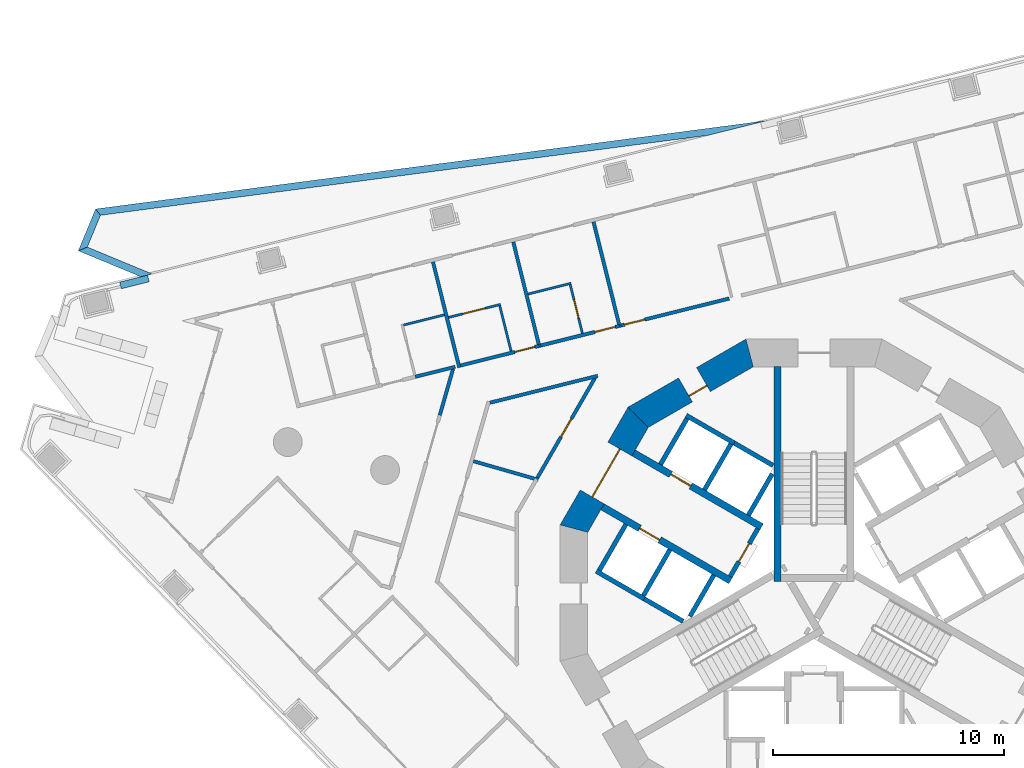
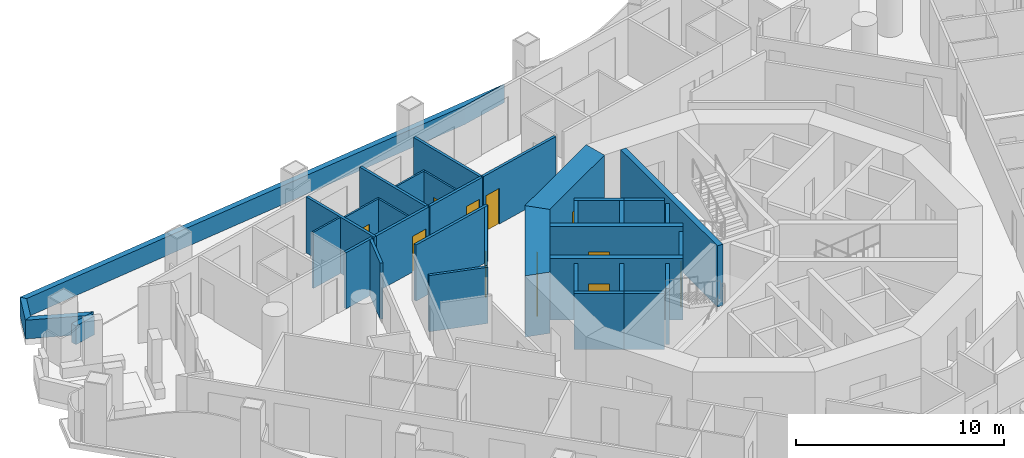
# One storey, part 7 of 19: 36 walls, 11 doors, 11 openings.
"""IFC4 building model written with IfcOpenShell, lengths in metres."""

from ifc_helpers import new_model, si_unit, direction, frame, frame_2d, origin, place, context, subcontext, project, spatial, polyline, rectangle, outline, extrude, material, layer, layer_set, type_object, element, fill, save


model = new_model("IFC4")

# Units and contexts
model_context = context("Model", 3, precision=1e-05, world=origin(), true_north=direction((0.0, 1.0)))
body_context = subcontext(model_context, "Body", "Model", "MODEL_VIEW")
ifc_project = project(units=[si_unit("LENGTHUNIT", "METRE"), si_unit("AREAUNIT", "SQUARE_METRE"), si_unit("VOLUMEUNIT", "CUBIC_METRE"), si_unit("PLANEANGLEUNIT", "RADIAN"), si_unit("MASSUNIT", "GRAM", prefix="KILO")], contexts=[model_context])

# Site, building, storey
site_placement = place(None, origin())
site = spatial("IfcSite", under=ifc_project, at=site_placement, CompositionType="ELEMENT")
building_placement = place(site_placement, origin())
building = spatial("IfcBuilding", under=site, at=building_placement, Name="Trine Commons Tower", CompositionType="ELEMENT")
storey_placement = place(building_placement, frame((0.0, 0.0, 87.300048828125)))
storey = spatial("IfcBuildingStorey", under=building, at=storey_placement, Name="L21", CompositionType="ELEMENT", Elevation=87.300048828125)

# Wall, opening, door
ifc_material_1 = material(Name="Fire-rated gypsum shaft wall system")
ifc_layer_1 = layer(ifc_material_1, 0.199951171875)
ifc_layer_set_1 = layer_set([ifc_layer_1], Name="Fire-rated gypsum shaft wall system")
wall_type_1 = type_object("IfcWallType", Name="Lobby end wall 200 mm, EI 120", PredefinedType="PARTITIONING", material=ifc_layer_set_1)
wall_1_placement = place(storey_placement, frame((77.569091796875, 65.2890625, 0.0), z_axis=(0.0, 0.0, 1.0), x_axis=(-0.50012165622, -0.865955154139, 0.0)))
wall_1 = element("IfcWall", 1, at=wall_1_placement, inside=storey, type_object=wall_type_1, Name="Lobby end wall L21", PredefinedType="PARTITIONING", context=body_context, shape_type="SweptSolid", body=[
    extrude(rectangle(XDim=2.39990234375, YDim=0.199951171875, at=frame_2d((1.199951171875, 0.0))), origin(), (0.0, 0.0, 1.0), 3.300048828125),
])
opening_1_placement = place(wall_1_placement, frame((0.749755859375, 0.0, 0.0)))
opening_1 = element("IfcOpeningElement", 2, at=opening_1_placement, cuts=wall_1, Name="Opening K04.07", PredefinedType="OPENING", context=body_context, shape_type="SweptSolid", body=[
    extrude(rectangle(XDim=0.89990234375, YDim=2.10009765625, at=frame_2d((0.449951171875, 1.050048828125))), frame((0.0, 0.10986328125, 0.0), z_axis=(0.0, -1.0, 0.0), x_axis=(1.0, 0.0, 0.0)), (0.0, 0.0, 1.0), 0.219970703125),
])
ifc_material_2 = material(Name="Steel door leaf, fire-rated", Category="steel")
door_type_1 = type_object("IfcDoorType", Name="Riser access door, single leaf 900 x 2100, FD60", OperationType="SINGLE_SWING_LEFT", PredefinedType="DOOR", material=ifc_material_2)
door_1_placement = place(opening_1_placement, frame((0.89990234375, 0.0, 0.0), z_axis=(0.0, 0.0, 1.0), x_axis=(-1.0, 0.0, 0.0)))
door_1 = element("IfcDoor", 3, at=door_1_placement, inside=storey, type_object=door_type_1, Name="Riser door, Mechanical riser L21", OperationType="SINGLE_SWING_RIGHT", OverallHeight=2.10009765625, OverallWidth=0.89990234375, PredefinedType="DOOR", context=body_context, shape_type="SweptSolid", body=[
    extrude(rectangle(XDim=0.89990234375, YDim=2.10009765625, at=frame_2d((0.449951171875, 1.050048828125))), frame((0.0, 0.02490234375, 0.0), z_axis=(0.0, -1.0, 0.0), x_axis=(1.0, 0.0, 0.0)), (0.0, 0.0, 1.0), 0.050048828125),
])
fill(opening_1, door_1)

ifc_material_3 = material(Name="Concrete C70/85", Category="concrete")
ifc_layer_2 = layer(ifc_material_3, 1.199951171875)
ifc_layer_set_2 = layer_set([ifc_layer_2], Name="Concrete C70/85")
wall_type_2 = type_object("IfcWallType", Name="RC shear wall 1200 mm, C70/85", PredefinedType="SHEAR", material=ifc_layer_set_2)
wall_2_placement = place(storey_placement, frame((77.349609375, 72.991943359375, 0.0), z_axis=(0.0, 0.0, 1.0), x_axis=(-0.866037463336, -0.499979111662, 0.0)))
wall_2 = element("IfcWall", 4, at=wall_2_placement, inside=storey, type_object=wall_type_2, Name="Core wall CWC-05 L21", PredefinedType="SHEAR", context=body_context, shape_type="SweptSolid", body=[
    extrude(outline(polyline([(0.0, -0.60009765625), (5.901123046875, -0.60009765625), (5.57958984375, 0.60009765625), (0.321533203125, 0.60009765625), (0.0, -0.60009765625)])), origin(), (0.0, 0.0, 1.0), 3.599853515625),
])
opening_2_placement = place(wall_2_placement, frame((2.474853515625, 0.0, 0.0)))
opening_2 = element("IfcOpeningElement", 5, at=opening_2_placement, cuts=wall_2, Name="Opening K04.13", PredefinedType="OPENING", context=body_context, shape_type="SweptSolid", body=[
    extrude(rectangle(XDim=0.89990234375, YDim=2.10009765625, at=frame_2d((0.449951171875, 1.050048828125))), frame((0.0, 0.60986328125, 0.0), z_axis=(0.0, -1.0, 0.0), x_axis=(1.0, 0.0, 0.0)), (0.0, 0.0, 1.0), 1.219970703125),
])
door_type_2 = type_object("IfcDoorType", Name="Core room door, single leaf 900 x 2100, FD30S", OperationType="SINGLE_SWING_LEFT", PredefinedType="DOOR", material=ifc_material_2)
door_2_placement = place(opening_2_placement, origin())
door_2 = element("IfcDoor", 6, at=door_2_placement, inside=storey, type_object=door_type_2, Name="Door to Comms room L21", OperationType="SINGLE_SWING_LEFT", OverallHeight=2.10009765625, OverallWidth=0.89990234375, PredefinedType="DOOR", context=body_context, shape_type="SweptSolid", body=[
    extrude(rectangle(XDim=0.89990234375, YDim=2.10009765625, at=frame_2d((0.449951171875, 1.050048828125))), frame((0.0, 0.3251953125, 0.0), z_axis=(0.0, -1.0, 0.0), x_axis=(1.0, 0.0, 0.0)), (0.0, 0.0, 1.0), 0.050048828125),
])
fill(opening_2, door_2)

wall_3_placement = place(storey_placement, frame((72.45849609375, 70.260986328125, 0.0), z_axis=(0.0, 0.0, 1.0), x_axis=(-0.499979111662, -0.866037463336, 0.0)))
wall_3 = element("IfcWall", 7, at=wall_3_placement, inside=storey, type_object=wall_type_2, Name="Core wall CWC-06 L21", PredefinedType="SHEAR", context=body_context, shape_type="SweptSolid", body=[
    extrude(outline(polyline([(0.0, -0.60009765625), (5.901123046875, -0.60009765625), (5.57958984375, 0.60009765625), (0.321533203125, 0.60009765625), (0.0, -0.60009765625)])), origin(), (0.0, 0.0, 1.0), 3.599853515625),
])
opening_3_placement = place(wall_3_placement, frame((1.75048828125, 0.0, 0.0)))
opening_3 = element("IfcOpeningElement", 8, at=opening_3_placement, cuts=wall_3, Name="Opening K04.06", PredefinedType="OPENING", context=body_context, shape_type="SweptSolid", body=[
    extrude(rectangle(XDim=2.39990234375, YDim=2.10009765625, at=frame_2d((1.199951171875, 1.050048828125))), frame((0.0, 0.60986328125, 0.0), z_axis=(0.0, -1.0, 0.0), x_axis=(1.0, 0.0, 0.0)), (0.0, 0.0, 1.0), 1.219970703125),
])
ifc_material_4 = material(Name="Steel door leaves, fire-rated", Category="steel")
door_type_3 = type_object("IfcDoorType", Name="Lobby door, double leaf 2400 x 2100, FD60", OperationType="DOUBLE_DOOR_SINGLE_SWING", PredefinedType="DOOR", material=ifc_material_4)
door_3_placement = place(opening_3_placement, origin())
door_3 = element("IfcDoor", 9, at=door_3_placement, inside=storey, type_object=door_type_3, Name="Lobby door, Passenger lift lobby B L21", OperationType="DOUBLE_DOOR_SINGLE_SWING", OverallHeight=2.10009765625, OverallWidth=2.39990234375, PredefinedType="DOOR", context=body_context, shape_type="SweptSolid", body=[
    extrude(rectangle(XDim=2.39990234375, YDim=2.10009765625, at=frame_2d((1.199951171875, 1.050048828125))), frame((0.0, 0.02490234375, 0.0), z_axis=(0.0, -1.0, 0.0), x_axis=(1.0, 0.0, 0.0)), (0.0, 0.0, 1.0), 0.050048828125),
])
fill(opening_3, door_3)

ifc_layer_3 = layer(ifc_material_3, 0.300048828125)
ifc_layer_set_3 = layer_set([ifc_layer_3], Name="Concrete C70/85")
wall_type_3 = type_object("IfcWallType", Name="RC shear wall 300 mm, C70/85", PredefinedType="SHEAR", material=ifc_layer_set_3)
wall_4_placement = place(storey_placement, frame((76.381103515625, 63.031005859375, 0.0), z_axis=(0.0, 0.0, 1.0), x_axis=(-0.866032150378, 0.499988314375, 0.0)))
wall_4 = element("IfcWall", 10, at=wall_4_placement, inside=storey, type_object=wall_type_3, Name="Core cross wall SWA-01 L21", PredefinedType="SHEAR", context=body_context, shape_type="SweptSolid", body=[
    extrude(rectangle(XDim=6.412353515625, YDim=0.300048828125, at=frame_2d((3.2060546875, 0.0))), origin(), (0.0, 0.0, 1.0), 3.599853515625),
])
opening_4_placement = place(wall_4_placement, frame((3.55029296875, 0.0, 0.0)))
opening_4 = element("IfcOpeningElement", 11, at=opening_4_placement, cuts=wall_4, Name="Opening LD3", PredefinedType="OPENING", context=body_context, shape_type="SweptSolid", body=[
    extrude(rectangle(XDim=1.0, YDim=2.10009765625, at=frame_2d((0.5, 1.050048828125))), frame((0.0, 0.159912109375, 0.0), z_axis=(0.0, -1.0, 0.0), x_axis=(1.0, 0.0, 0.0)), (0.0, 0.0, 1.0), 0.320068359375),
])
ifc_material_5 = material(Name="Stainless steel sliding door leaves", Category="steel")
door_type_4 = type_object("IfcDoorType", Name="Lift landing door, centre-opening sliding 1000 x 2100, FD90", OperationType="DOUBLE_DOOR_SLIDING", PredefinedType="DOOR", material=ifc_material_5)
door_4_placement = place(opening_4_placement, origin())
door_4 = element("IfcDoor", 12, at=door_4_placement, inside=storey, type_object=door_type_4, Name="Lift landing door LR3 L21", OperationType="DOUBLE_DOOR_SLIDING", OverallHeight=2.10009765625, OverallWidth=1.0, PredefinedType="DOOR", context=body_context, shape_type="SweptSolid", body=[
    extrude(rectangle(XDim=1.0, YDim=2.10009765625, at=frame_2d((0.5, 1.050048828125))), frame((0.0, 0.02490234375, 0.0), z_axis=(0.0, -1.0, 0.0), x_axis=(1.0, 0.0, 0.0)), (0.0, 0.0, 1.0), 0.050048828125),
])
fill(opening_4, door_4)

wall_5_placement = place(storey_placement, frame((77.73095703125, 65.368896484375, 0.0), z_axis=(0.0, 0.0, 1.0), x_axis=(-0.866022631842, 0.500004801114, 0.0)))
wall_5 = element("IfcWall", 13, at=wall_5_placement, inside=storey, type_object=wall_type_3, Name="Core cross wall SWA-02 L21", PredefinedType="SHEAR", context=body_context, shape_type="SweptSolid", body=[
    extrude(rectangle(XDim=6.412109375, YDim=0.300048828125, at=frame_2d((3.2060546875, 0.0))), origin(), (0.0, 0.0, 1.0), 3.599853515625),
])
opening_5_placement = place(wall_5_placement, frame((3.55029296875, 0.0, 0.0)))
opening_5 = element("IfcOpeningElement", 14, at=opening_5_placement, cuts=wall_5, Name="Opening LD4", PredefinedType="OPENING", context=body_context, shape_type="SweptSolid", body=[
    extrude(rectangle(XDim=1.0, YDim=2.10009765625, at=frame_2d((0.5, 1.050048828125))), frame((0.0, 0.159912109375, 0.0), z_axis=(0.0, -1.0, 0.0), x_axis=(1.0, 0.0, 0.0)), (0.0, 0.0, 1.0), 0.320068359375),
])
door_5_placement = place(opening_5_placement, origin())
door_5 = element("IfcDoor", 15, at=door_5_placement, inside=storey, type_object=door_type_4, Name="Lift landing door LR4 L21", OperationType="DOUBLE_DOOR_SLIDING", OverallHeight=2.10009765625, OverallWidth=1.0, PredefinedType="DOOR", context=body_context, shape_type="SweptSolid", body=[
    extrude(rectangle(XDim=1.0, YDim=2.10009765625, at=frame_2d((0.5, 1.050048828125))), frame((0.0, 0.02490234375, 0.0), z_axis=(0.0, -1.0, 0.0), x_axis=(1.0, 0.0, 0.0)), (0.0, 0.0, 1.0), 0.050048828125),
])
fill(opening_5, door_5)

# Walls
wall_6_placement = place(storey_placement, frame((78.425048828125, 63.0009765625, 0.0), z_axis=(0.0, 0.0, 1.0), x_axis=(0.0, 1.0, 0.0)))
element("IfcWall", 16, at=wall_6_placement, inside=storey, type_object=wall_type_3, Name="Core cross wall SWA-08 L21", PredefinedType="SHEAR", context=body_context, shape_type="SweptSolid", body=[
    extrude(rectangle(XDim=9.31103515625, YDim=0.300048828125, at=frame_2d((4.655517578125, 0.0))), origin(), (0.0, 0.0, 1.0), 3.599853515625),
])
ifc_layer_4 = layer(ifc_material_1, 0.199951171875)
ifc_layer_set_4 = layer_set([ifc_layer_4], Name="Fire-rated gypsum shaft wall system")
wall_type_4 = type_object("IfcWallType", Name="Shaft wall 200 mm, EI 120", PredefinedType="PARTITIONING", material=ifc_layer_set_4)
wall_7_placement = place(storey_placement, frame((71.844970703125, 65.47607421875, 0.0), z_axis=(0.0, 0.0, 1.0), x_axis=(-0.500136062276, -0.86594683394, 0.0)))
element("IfcWall", 17, at=wall_7_placement, inside=storey, type_object=wall_type_4, Name="Shaft wall L21", PredefinedType="PARTITIONING", context=body_context, shape_type="SweptSolid", body=[
    extrude(rectangle(XDim=2.299072265625, YDim=0.199951171875, at=frame_2d((1.1494140625, 0.0))), origin(), (0.0, 0.0, 1.0), 3.300048828125),
])
wall_8_placement = place(storey_placement, frame((72.637939453125, 62.248046875, 0.0), z_axis=(0.0, 0.0, 1.0), x_axis=(-0.866177122335, 0.499737123639, 0.0)))
element("IfcWall", 18, at=wall_8_placement, inside=storey, type_object=wall_type_4, Name="Shaft wall L21", PredefinedType="PARTITIONING", context=body_context, shape_type="SweptSolid", body=[
    extrude(rectangle(XDim=2.401123046875, YDim=0.199951171875, at=frame_2d((1.20068359375, 0.0))), origin(), (0.0, 0.0, 1.0), 3.300048828125),
])
wall_9_placement = place(storey_placement, frame((73.344970703125, 68.073974609375, 0.0), z_axis=(0.0, 0.0, 1.0), x_axis=(0.500215680983, 0.865900844496, 0.0)))
element("IfcWall", 19, at=wall_9_placement, inside=storey, type_object=wall_type_4, Name="Shaft wall L21", PredefinedType="PARTITIONING", context=body_context, shape_type="SweptSolid", body=[
    extrude(rectangle(XDim=2.29931640625, YDim=0.199951171875, at=frame_2d((1.149658203125, 0.0))), origin(), (0.0, 0.0, 1.0), 3.300048828125),
])
wall_10_placement = place(storey_placement, frame((73.7509765625, 64.3759765625, 0.0), z_axis=(0.0, 0.0, 1.0), x_axis=(-0.500136062276, -0.86594683394, 0.0)))
element("IfcWall", 20, at=wall_10_placement, inside=storey, type_object=wall_type_4, Name="Shaft wall L21", PredefinedType="PARTITIONING", context=body_context, shape_type="SweptSolid", body=[
    extrude(rectangle(XDim=2.299072265625, YDim=0.199951171875, at=frame_2d((1.1494140625, 0.0))), origin(), (0.0, 0.0, 1.0), 3.300048828125),
])
wall_11_placement = place(storey_placement, frame((74.324951171875, 61.27294921875, 0.0), z_axis=(0.0, 0.0, 1.0), x_axis=(-0.865780634835, 0.500423712812, 0.0)))
element("IfcWall", 21, at=wall_11_placement, inside=storey, type_object=wall_type_4, Name="Shaft wall L21", PredefinedType="PARTITIONING", context=body_context, shape_type="SweptSolid", body=[
    extrude(rectangle(XDim=1.948486328125, YDim=0.199951171875, at=frame_2d((0.97412109375, 0.0))), origin(), (0.0, 0.0, 1.0), 3.300048828125),
])
wall_12_placement = place(storey_placement, frame((75.2509765625, 66.97412109375, 0.0), z_axis=(0.0, 0.0, 1.0), x_axis=(0.500136062276, 0.86594683394, 0.0)))
element("IfcWall", 22, at=wall_12_placement, inside=storey, type_object=wall_type_4, Name="Shaft wall L21", PredefinedType="PARTITIONING", context=body_context, shape_type="SweptSolid", body=[
    extrude(rectangle(XDim=2.299072265625, YDim=0.199951171875, at=frame_2d((1.1494140625, 0.0))), origin(), (0.0, 0.0, 1.0), 3.300048828125),
])
wall_13_placement = place(storey_placement, frame((75.656005859375, 63.27587890625, 0.0), z_axis=(0.0, 0.0, 1.0), x_axis=(-0.500271688072, -0.86586848777, 0.0)))
element("IfcWall", 23, at=wall_13_placement, inside=storey, type_object=wall_type_4, Name="Shaft wall L21", PredefinedType="PARTITIONING", context=body_context, shape_type="SweptSolid", body=[
    extrude(rectangle(XDim=2.064697265625, YDim=0.199951171875, at=frame_2d((1.0322265625, 0.0))), origin(), (0.0, 0.0, 1.0), 3.300048828125),
])
wall_14_placement = place(storey_placement, frame((76.5380859375, 69.001953125, 0.0), z_axis=(0.0, 0.0, 1.0), x_axis=(-0.866202511239, 0.499693115345, 0.0)))
element("IfcWall", 24, at=wall_14_placement, inside=storey, type_object=wall_type_4, Name="Shaft wall L21", PredefinedType="PARTITIONING", context=body_context, shape_type="SweptSolid", body=[
    extrude(rectangle(XDim=2.4013671875, YDim=0.199951171875, at=frame_2d((1.20068359375, 0.0))), origin(), (0.0, 0.0, 1.0), 3.300048828125),
])
wall_15_placement = place(storey_placement, frame((77.156005859375, 65.8740234375, 0.0), z_axis=(0.0, 0.0, 1.0), x_axis=(0.499865770674, 0.866102887253, 0.0)))
element("IfcWall", 25, at=wall_15_placement, inside=storey, type_object=wall_type_4, Name="Shaft wall L21", PredefinedType="PARTITIONING", context=body_context, shape_type="SweptSolid", body=[
    extrude(rectangle(XDim=2.064453125, YDim=0.199951171875, at=frame_2d((1.0322265625, 0.0))), origin(), (0.0, 0.0, 1.0), 3.300048828125),
])
wall_16_placement = place(storey_placement, frame((78.22509765625, 68.028076171875, 0.0), z_axis=(0.0, 0.0, 1.0), x_axis=(-0.866052014814, 0.499953905513, 0.0)))
element("IfcWall", 26, at=wall_16_placement, inside=storey, type_object=wall_type_4, Name="Shaft wall L21", PredefinedType="PARTITIONING", context=body_context, shape_type="SweptSolid", body=[
    extrude(rectangle(XDim=1.947998046875, YDim=0.199951171875, at=frame_2d((0.97412109375, 0.0))), origin(), (0.0, 0.0, 1.0), 3.300048828125),
])
ifc_material_6 = material(Name="Limestone, honed", Category="masonry")
ifc_layer_5 = layer(ifc_material_6, 0.300048828125)
ifc_layer_set_5 = layer_set([ifc_layer_5], Name="Limestone, honed")
wall_type_5 = type_object("IfcWallType", Name="Stone parapet 300", PredefinedType="PARAPET", material=ifc_layer_set_5)
wall_17_placement = place(storey_placement, origin())
element("IfcWall", 27, at=wall_17_placement, inside=storey, type_object=wall_type_5, Name="Sliver roof parapet L20 2.1", PredefinedType="PARAPET", context=body_context, shape_type="SweptSolid", body=[
    extrude(outline(polyline([(77.97607421875, 82.98779296875), (48.847900390625, 79.153076171875), (49.058837890625, 78.87841796875), (75.40478515625, 82.3466796875), (77.97607421875, 82.98779296875)])), origin(), (0.0, 0.0, 1.0), 1.099853515625),
])
wall_18_placement = place(storey_placement, origin())
element("IfcWall", 28, at=wall_18_placement, inside=storey, type_object=wall_type_5, Name="Sliver roof parapet L20 2.2", PredefinedType="PARAPET", context=body_context, shape_type="SweptSolid", body=[
    extrude(outline(polyline([(48.847900390625, 79.153076171875), (48.096435546875, 77.33837890625), (48.48828125, 77.5009765625), (49.058837890625, 78.87841796875), (48.847900390625, 79.153076171875)])), origin(), (0.0, 0.0, 1.0), 1.099853515625),
])
wall_19_placement = place(storey_placement, origin())
element("IfcWall", 29, at=wall_19_placement, inside=storey, type_object=wall_type_5, Name="Sliver roof parapet L20 2.3", PredefinedType="PARAPET", context=body_context, shape_type="SweptSolid", body=[
    extrude(outline(polyline([(48.096435546875, 77.33837890625), (50.809814453125, 76.214599609375), (51.29931640625, 76.336669921875), (48.48828125, 77.5009765625), (48.096435546875, 77.33837890625)])), origin(), (0.0, 0.0, 1.0), 1.099853515625),
])
wall_20_placement = place(storey_placement, origin())
element("IfcWall", 30, at=wall_20_placement, inside=storey, type_object=wall_type_5, Name="Sliver roof parapet extension L20 2.X2", PredefinedType="PARAPET", context=body_context, shape_type="SweptSolid", body=[
    extrude(outline(polyline([(51.173583984375, 75.99609375), (51.100830078125, 76.287109375), (49.887939453125, 75.984619140625), (49.960693359375, 75.693603515625), (51.173583984375, 75.99609375)])), origin(), (0.0, 0.0, 1.0), 1.099853515625),
])
ifc_material_7 = material(Name="Gypsum plasterboard on steel stud", Category="steel")
ifc_layer_6 = layer(ifc_material_7, 0.14990234375)
ifc_layer_set_6 = layer_set([ifc_layer_6], Name="Gypsum plasterboard on steel stud")
wall_type_6 = type_object("IfcWallType", Name="Unit and corridor wall 150 mm, EI 60", PredefinedType="PARTITIONING", material=ifc_layer_set_6)
wall_21_placement = place(storey_placement, frame((62.705078125, 71.8759765625, 0.0), z_axis=(0.0, 0.0, 1.0), x_axis=(0.970318656337, 0.241829909573, 0.0)))
element("IfcWall", 31, at=wall_21_placement, inside=storey, type_object=wall_type_6, Name="Partition 022", PredefinedType="PARTITIONING", context=body_context, shape_type="SweptSolid", body=[
    extrude(rectangle(XDim=1.791015625, YDim=0.14990234375, at=frame_2d((0.8955078125, 0.0))), origin(), (0.0, 0.0, 1.0), 3.300048828125),
])
wall_22_placement = place(storey_placement, frame((63.476806640625, 76.858154296875, 0.0), z_axis=(0.0, 0.0, 1.0), x_axis=(0.242049130854, -0.970263994103, 0.0)))
element("IfcWall", 32, at=wall_22_placement, inside=storey, type_object=wall_type_6, Name="Partition 024", PredefinedType="PARTITIONING", context=body_context, shape_type="SweptSolid", body=[
    extrude(rectangle(XDim=4.723388671875, YDim=0.14990234375, at=frame_2d((2.36181640625, 0.0))), origin(), (0.0, 0.0, 1.0), 3.300048828125),
])
wall_23_placement = place(storey_placement, frame((63.77392578125, 70.2099609375, 0.0), z_axis=(0.0, 0.0, 1.0), x_axis=(0.275353680299, 0.961342993289, 0.0)))
element("IfcWall", 33, at=wall_23_placement, inside=storey, type_object=wall_type_6, Name="Partition 027", PredefinedType="PARTITIONING", context=body_context, shape_type="SweptSolid", body=[
    extrude(rectangle(XDim=2.08984375, YDim=0.14990234375, at=frame_2d((1.044921875, 0.0))), origin(), (0.0, 0.0, 1.0), 3.300048828125),
])

# Wall, opening, door
wall_24_placement = place(storey_placement, frame((64.6708984375, 72.3662109375, 0.0), z_axis=(0.0, 0.0, 1.0), x_axis=(0.97035426046, 0.241687006697, 0.0)))
wall_24 = element("IfcWall", 34, at=wall_24_placement, inside=storey, type_object=wall_type_6, Name="Partition 030", PredefinedType="PARTITIONING", context=body_context, shape_type="SweptSolid", body=[
    extrude(rectangle(XDim=3.520263671875, YDim=0.14990234375, at=frame_2d((1.76025390625, 0.0))), origin(), (0.0, 0.0, 1.0), 3.300048828125),
])
opening_6_placement = place(wall_24_placement, frame((2.429931640625, 0.0, 0.0)))
opening_6 = element("IfcOpeningElement", 35, at=opening_6_placement, cuts=wall_24, Name="Opening D-3A09", PredefinedType="OPENING", context=body_context, shape_type="SweptSolid", body=[
    extrude(rectangle(XDim=0.89990234375, YDim=2.10009765625, at=frame_2d((0.449951171875, 1.050048828125))), frame((0.0, 0.0849609375, 0.0), z_axis=(0.0, -1.0, 0.0), x_axis=(1.0, 0.0, 0.0)), (0.0, 0.0, 1.0), 0.169921875),
])
ifc_material_8 = material(Name="Timber fire door set", Category="wood")
door_type_5 = type_object("IfcDoorType", Name="Bedroom door 900 x 2100, FD30S", OperationType="NOTDEFINED", PredefinedType="DOOR", material=ifc_material_8)
door_6_placement = place(opening_6_placement, origin())
door_6 = element("IfcDoor", 36, at=door_6_placement, inside=storey, type_object=door_type_5, Name="Door D-3A09", OperationType="SINGLE_SWING_RIGHT", OverallHeight=2.10009765625, OverallWidth=0.89990234375, PredefinedType="DOOR", context=body_context, shape_type="SweptSolid", body=[
    extrude(rectangle(XDim=0.89990234375, YDim=2.10009765625, at=frame_2d((0.449951171875, 1.050048828125))), frame((0.0, 0.02490234375, 0.0), z_axis=(0.0, -1.0, 0.0), x_axis=(1.0, 0.0, 0.0)), (0.0, 0.0, 1.0), 0.050048828125),
])
fill(opening_6, door_6)

# Walls
wall_25_placement = place(storey_placement, frame((65.231201171875, 68.21728515625, 0.0), z_axis=(0.0, 0.0, 1.0), x_axis=(0.961306086513, -0.275482500411, 0.0)))
element("IfcWall", 37, at=wall_25_placement, inside=storey, type_object=wall_type_6, Name="Partition 031", PredefinedType="PARTITIONING", context=body_context, shape_type="SweptSolid", body=[
    extrude(rectangle(XDim=2.921875, YDim=0.14990234375, at=frame_2d((1.4609375, 0.0))), origin(), (0.0, 0.0, 1.0), 3.300048828125),
])
wall_26_placement = place(storey_placement, frame((65.94677734375, 70.751220703125, 0.0), z_axis=(0.0, 0.0, 1.0), x_axis=(0.970300367674, 0.241903279206, 0.0)))
element("IfcWall", 38, at=wall_26_placement, inside=storey, type_object=wall_type_6, Name="Partition 032", PredefinedType="PARTITIONING", context=body_context, shape_type="SweptSolid", body=[
    extrude(rectangle(XDim=4.815185546875, YDim=0.14990234375, at=frame_2d((2.40771484375, 0.0))), origin(), (0.0, 0.0, 1.0), 3.300048828125),
])
wall_27_placement = place(storey_placement, frame((66.958740234375, 77.726318359375, 0.0), z_axis=(0.0, 0.0, 1.0), x_axis=(0.24185448203, -0.970312531879, 0.0)))
element("IfcWall", 39, at=wall_27_placement, inside=storey, type_object=wall_type_6, Name="Partition 035", PredefinedType="PARTITIONING", context=body_context, shape_type="SweptSolid", body=[
    extrude(rectangle(XDim=4.72314453125, YDim=0.14990234375, at=frame_2d((2.361572265625, 0.0))), origin(), (0.0, 0.0, 1.0), 3.300048828125),
])

# Wall, opening, door
wall_28_placement = place(storey_placement, frame((68.00244140625, 67.493896484375, 0.0), z_axis=(0.0, 0.0, 1.0), x_axis=(0.499945814907, 0.866056685303, 0.0)))
wall_28 = element("IfcWall", 40, at=wall_28_placement, inside=storey, type_object=wall_type_6, Name="Partition 039", PredefinedType="PARTITIONING", context=body_context, shape_type="SweptSolid", body=[
    extrude(rectangle(XDim=5.0146484375, YDim=0.14990234375, at=frame_2d((2.50732421875, 0.0))), origin(), (0.0, 0.0, 1.0), 3.300048828125),
])
opening_7_placement = place(wall_28_placement, frame((2.057373046875, 0.0, 0.0)))
opening_7 = element("IfcOpeningElement", 41, at=opening_7_placement, cuts=wall_28, Name="Opening D-3A33", PredefinedType="OPENING", context=body_context, shape_type="SweptSolid", body=[
    extrude(rectangle(XDim=0.89990234375, YDim=2.10009765625, at=frame_2d((0.449951171875, 1.050048828125))), frame((0.0, 0.0849609375, 0.0), z_axis=(0.0, -1.0, 0.0), x_axis=(1.0, 0.0, 0.0)), (0.0, 0.0, 1.0), 0.169921875),
])
door_type_6 = type_object("IfcDoorType", Name="Service door 900 x 2100, FD30S", OperationType="NOTDEFINED", PredefinedType="DOOR", material=ifc_material_8)
door_7_placement = place(opening_7_placement, origin())
door_7 = element("IfcDoor", 42, at=door_7_placement, inside=storey, type_object=door_type_6, Name="Door D-3A33", OperationType="SINGLE_SWING_LEFT", OverallHeight=2.10009765625, OverallWidth=0.89990234375, PredefinedType="DOOR", context=body_context, shape_type="SweptSolid", body=[
    extrude(rectangle(XDim=0.89990234375, YDim=2.10009765625, at=frame_2d((0.449951171875, 1.050048828125))), frame((0.0, 0.02490234375, 0.0), z_axis=(0.0, -1.0, 0.0), x_axis=(1.0, 0.0, 0.0)), (0.0, 0.0, 1.0), 0.050048828125),
])
fill(opening_7, door_7)

wall_29_placement = place(storey_placement, frame((68.15185546875, 73.233154296875, 0.0), z_axis=(0.0, 0.0, 1.0), x_axis=(0.970244352723, 0.242127850544, 0.0)))
wall_29 = element("IfcWall", 43, at=wall_29_placement, inside=storey, type_object=wall_type_6, Name="Partition 040", PredefinedType="PARTITIONING", context=body_context, shape_type="SweptSolid", body=[
    extrude(rectangle(XDim=3.52197265625, YDim=0.14990234375, at=frame_2d((1.760986328125, 0.0))), origin(), (0.0, 0.0, 1.0), 3.300048828125),
])
opening_8_placement = place(wall_29_placement, frame((2.424072265625, 0.0, 0.0)))
opening_8 = element("IfcOpeningElement", 44, at=opening_8_placement, cuts=wall_29, Name="Opening D-3A10", PredefinedType="OPENING", context=body_context, shape_type="SweptSolid", body=[
    extrude(rectangle(XDim=0.89990234375, YDim=2.10009765625, at=frame_2d((0.449951171875, 1.050048828125))), frame((0.0, 0.0849609375, 0.0), z_axis=(0.0, -1.0, 0.0), x_axis=(1.0, 0.0, 0.0)), (0.0, 0.0, 1.0), 0.169921875),
])
door_8_placement = place(opening_8_placement, origin())
door_8 = element("IfcDoor", 45, at=door_8_placement, inside=storey, type_object=door_type_5, Name="Door D-3A10", OperationType="SINGLE_SWING_RIGHT", OverallHeight=2.10009765625, OverallWidth=0.89990234375, PredefinedType="DOOR", context=body_context, shape_type="SweptSolid", body=[
    extrude(rectangle(XDim=0.89990234375, YDim=2.10009765625, at=frame_2d((0.449951171875, 1.050048828125))), frame((0.0, 0.02490234375, 0.0), z_axis=(0.0, -1.0, 0.0), x_axis=(1.0, 0.0, 0.0)), (0.0, 0.0, 1.0), 0.050048828125),
])
fill(opening_8, door_8)

# Wall
wall_30_placement = place(storey_placement, frame((70.440673828125, 78.59423828125, 0.0), z_axis=(0.0, 0.0, 1.0), x_axis=(0.241903012142, -0.970300434256, 0.0)))
element("IfcWall", 46, at=wall_30_placement, inside=storey, type_object=wall_type_6, Name="Partition 047", PredefinedType="PARTITIONING", context=body_context, shape_type="SweptSolid", body=[
    extrude(rectangle(XDim=4.72216796875, YDim=0.14990234375, at=frame_2d((2.361083984375, 0.0))), origin(), (0.0, 0.0, 1.0), 3.300048828125),
])

# Wall, opening, door
wall_31_placement = place(storey_placement, frame((71.6337890625, 74.10205078125, 0.0), z_axis=(0.0, 0.0, 1.0), x_axis=(0.9702938954, 0.241929238722, 0.0)))
wall_31 = element("IfcWall", 47, at=wall_31_placement, inside=storey, type_object=wall_type_6, Name="Partition 050", PredefinedType="PARTITIONING", context=body_context, shape_type="SweptSolid", body=[
    extrude(rectangle(XDim=4.831787109375, YDim=0.14990234375, at=frame_2d((2.416015625, 0.0))), origin(), (0.0, 0.0, 1.0), 3.300048828125),
])
opening_9_placement = place(wall_31_placement, frame((0.14990234375, 0.0, 0.0)))
opening_9 = element("IfcOpeningElement", 48, at=opening_9_placement, cuts=wall_31, Name="Opening D-3A11", PredefinedType="OPENING", context=body_context, shape_type="SweptSolid", body=[
    extrude(rectangle(XDim=0.89990234375, YDim=2.10009765625, at=frame_2d((0.449951171875, 1.050048828125))), frame((0.0, 0.0849609375, 0.0), z_axis=(0.0, -1.0, 0.0), x_axis=(1.0, 0.0, 0.0)), (0.0, 0.0, 1.0), 0.169921875),
])
door_9_placement = place(opening_9_placement, origin())
door_9 = element("IfcDoor", 49, at=door_9_placement, inside=storey, type_object=door_type_5, Name="Door D-3A11", OperationType="SINGLE_SWING_LEFT", OverallHeight=2.10009765625, OverallWidth=0.89990234375, PredefinedType="DOOR", context=body_context, shape_type="SweptSolid", body=[
    extrude(rectangle(XDim=0.89990234375, YDim=2.10009765625, at=frame_2d((0.449951171875, 1.050048828125))), frame((0.0, 0.02490234375, 0.0), z_axis=(0.0, -1.0, 0.0), x_axis=(1.0, 0.0, 0.0)), (0.0, 0.0, 1.0), 0.050048828125),
])
fill(opening_9, door_9)

# Wall
ifc_layer_7 = layer(ifc_material_7, 0.10009765625)
ifc_layer_set_7 = layer_set([ifc_layer_7], Name="Gypsum plasterboard on steel stud")
wall_type_7 = type_object("IfcWallType", Name="Unit partition 100 mm, no rating", PredefinedType="PARTITIONING", material=ifc_layer_set_7)
wall_32_placement = place(storey_placement, frame((62.201416015625, 74.1201171875, 0.0), z_axis=(0.0, 0.0, 1.0), x_axis=(0.970276128406, 0.242000484804, 0.0)))
element("IfcWall", 50, at=wall_32_placement, inside=storey, type_object=wall_type_7, Name="Partition 021", PredefinedType="PARTITIONING", context=body_context, shape_type="SweptSolid", body=[
    extrude(rectangle(XDim=1.824951171875, YDim=0.10009765625, at=frame_2d((0.91259765625, 0.0))), origin(), (0.0, 0.0, 1.0), 3.300048828125),
])

# Wall, opening, door
wall_33_placement = place(storey_placement, frame((64.15380859375, 74.453125, 0.0), z_axis=(0.0, 0.0, 1.0), x_axis=(0.970358256462, 0.241670962499, 0.0)))
wall_33 = element("IfcWall", 51, at=wall_33_placement, inside=storey, type_object=wall_type_7, Name="Partition 028", PredefinedType="PARTITIONING", context=body_context, shape_type="SweptSolid", body=[
    extrude(rectangle(XDim=2.325439453125, YDim=0.10009765625, at=frame_2d((1.16259765625, 0.0))), origin(), (0.0, 0.0, 1.0), 3.300048828125),
])
opening_10_placement = place(wall_33_placement, frame((0.6376953125, 0.0, 0.0)))
opening_10 = element("IfcOpeningElement", 52, at=opening_10_placement, cuts=wall_33, Name="Opening D-3A38", PredefinedType="OPENING", context=body_context, shape_type="SweptSolid", body=[
    extrude(rectangle(XDim=1.0, YDim=2.10009765625, at=frame_2d((0.5, 1.050048828125))), frame((0.0, 0.06005859375, 0.0), z_axis=(0.0, -1.0, 0.0), x_axis=(1.0, 0.0, 0.0)), (0.0, 0.0, 1.0), 0.1201171875),
])
ifc_material_9 = material(Name="Painted timber", Category="wood")
door_type_7 = type_object("IfcDoorType", Name="Internal door 1000 x 2100, NOT RATED", OperationType="NOTDEFINED", PredefinedType="DOOR", material=ifc_material_9)
door_10_placement = place(opening_10_placement, origin())
door_10 = element("IfcDoor", 53, at=door_10_placement, inside=storey, type_object=door_type_7, Name="Door D-3A38", OperationType="SINGLE_SWING_LEFT", OverallHeight=2.10009765625, OverallWidth=1.0, PredefinedType="DOOR", context=body_context, shape_type="SweptSolid", body=[
    extrude(rectangle(XDim=1.0, YDim=2.10009765625, at=frame_2d((0.5, 1.050048828125))), frame((0.0, 0.02490234375, 0.0), z_axis=(0.0, -1.0, 0.0), x_axis=(1.0, 0.0, 0.0)), (0.0, 0.0, 1.0), 0.050048828125),
])
fill(opening_10, door_10)

# Walls
wall_34_placement = place(storey_placement, frame((66.3740234375, 74.95458984375, 0.0), z_axis=(0.0, 0.0, 1.0), x_axis=(0.241968232274, -0.97028417207, 0.0)))
element("IfcWall", 54, at=wall_34_placement, inside=storey, type_object=wall_type_7, Name="Partition 033", PredefinedType="PARTITIONING", context=body_context, shape_type="SweptSolid", body=[
    extrude(rectangle(XDim=2.02490234375, YDim=0.10009765625, at=frame_2d((1.012451171875, 0.0))), origin(), (0.0, 0.0, 1.0), 3.300048828125),
])
wall_35_placement = place(storey_placement, frame((67.599853515625, 75.46630859375, 0.0), z_axis=(0.0, 0.0, 1.0), x_axis=(0.970276645771, 0.241998410475, 0.0)))
element("IfcWall", 55, at=wall_35_placement, inside=storey, type_object=wall_type_7, Name="Partition 038", PredefinedType="PARTITIONING", context=body_context, shape_type="SweptSolid", body=[
    extrude(rectangle(XDim=1.9248046875, YDim=0.10009765625, at=frame_2d((0.96240234375, 0.0))), origin(), (0.0, 0.0, 1.0), 3.300048828125),
])

# Wall, opening, door
wall_36_placement = place(storey_placement, frame((69.43115234375, 75.87158203125, 0.0), z_axis=(0.0, 0.0, 1.0), x_axis=(0.241637657135, -0.970366550668, 0.0)))
wall_36 = element("IfcWall", 56, at=wall_36_placement, inside=storey, type_object=wall_type_7, Name="Partition 044", PredefinedType="PARTITIONING", context=body_context, shape_type="SweptSolid", body=[
    extrude(rectangle(XDim=2.17529296875, YDim=0.10009765625, at=frame_2d((1.087646484375, 0.0))), origin(), (0.0, 0.0, 1.0), 3.300048828125),
])
opening_11_placement = place(wall_36_placement, frame((0.6875, 0.0, 0.0)))
opening_11 = element("IfcOpeningElement", 57, at=opening_11_placement, cuts=wall_36, Name="Opening D-3A39", PredefinedType="OPENING", context=body_context, shape_type="SweptSolid", body=[
    extrude(rectangle(XDim=0.800048828125, YDim=2.10009765625, at=frame_2d((0.39990234375, 1.050048828125))), frame((0.0, 0.06005859375, 0.0), z_axis=(0.0, -1.0, 0.0), x_axis=(1.0, 0.0, 0.0)), (0.0, 0.0, 1.0), 0.1201171875),
])
door_type_8 = type_object("IfcDoorType", Name="Internal door 800 x 2100, NOT RATED", OperationType="NOTDEFINED", PredefinedType="DOOR", material=ifc_material_9)
door_11_placement = place(opening_11_placement, origin())
door_11 = element("IfcDoor", 58, at=door_11_placement, inside=storey, type_object=door_type_8, Name="Door D-3A39", OperationType="SINGLE_SWING_RIGHT", OverallHeight=2.10009765625, OverallWidth=0.800048828125, PredefinedType="DOOR", context=body_context, shape_type="SweptSolid", body=[
    extrude(rectangle(XDim=0.800048828125, YDim=2.10009765625, at=frame_2d((0.39990234375, 1.050048828125))), frame((0.0, 0.02490234375, 0.0), z_axis=(0.0, -1.0, 0.0), x_axis=(1.0, 0.0, 0.0)), (0.0, 0.0, 1.0), 0.050048828125),
])
fill(opening_11, door_11)

save(model, "model.ifc")
